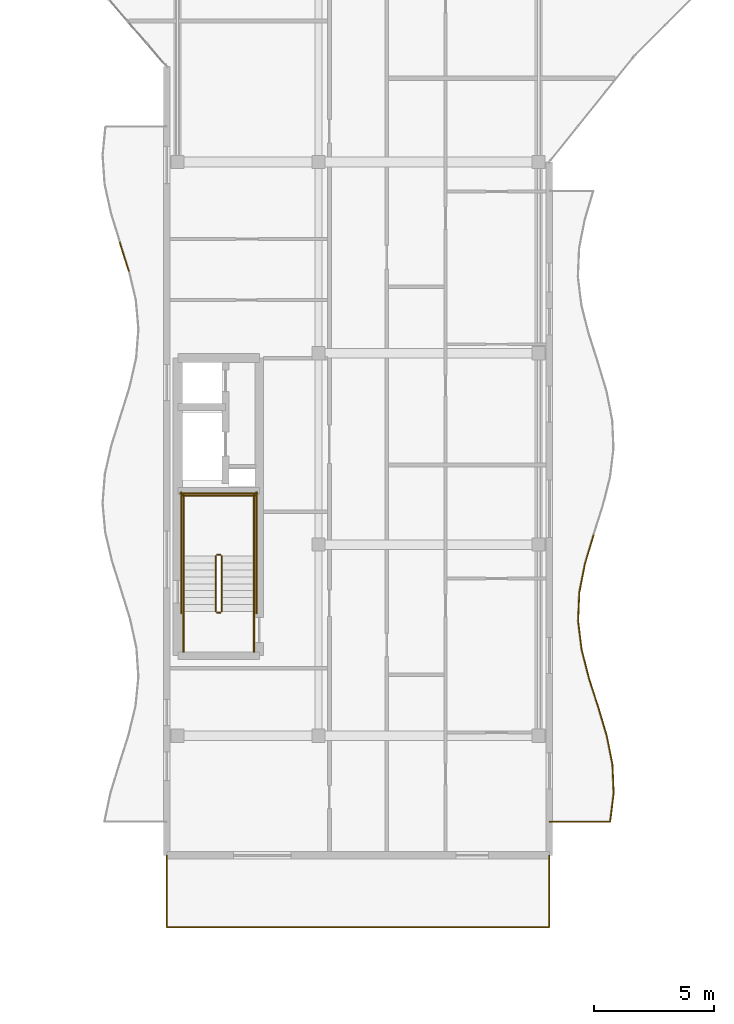
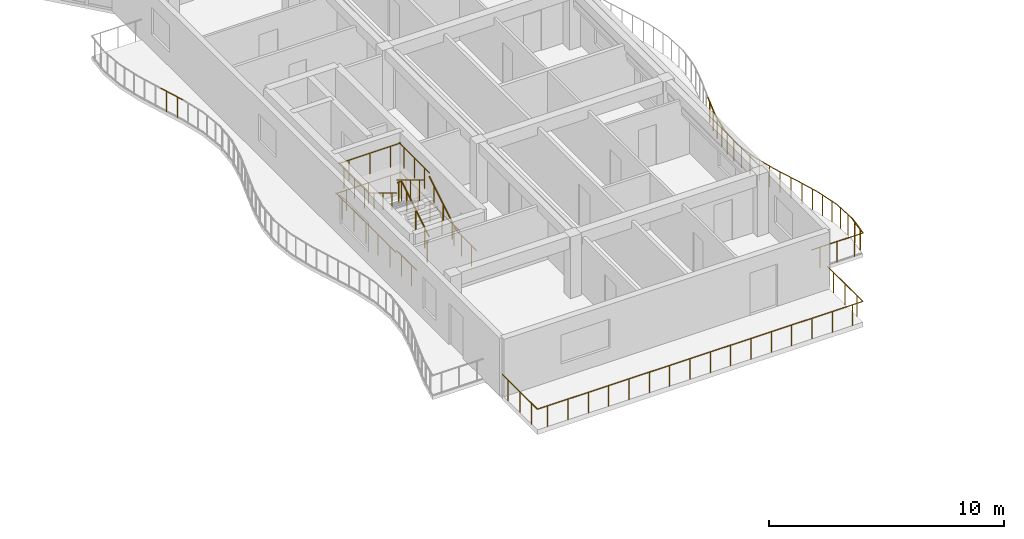
# One storey, part 44 of 54: 29 railings.
"""IFC4 building model written with IfcOpenShell, lengths in metres."""

from ifc_helpers import new_model, si_unit, direction, frame, origin, origin_2d, place, context, subcontext, project, spatial, circle, extrude, material, type_object, element, save


model = new_model("IFC4")

# Units and contexts
model_context = context("Model", 3, precision=1e-05, world=origin(), true_north=direction((0.0, 1.0)))
body_context = subcontext(model_context, "Body", "Model", "MODEL_VIEW")
ifc_project = project(units=[si_unit("LENGTHUNIT", "METRE"), si_unit("AREAUNIT", "SQUARE_METRE"), si_unit("VOLUMEUNIT", "CUBIC_METRE"), si_unit("PLANEANGLEUNIT", "RADIAN"), si_unit("MASSUNIT", "GRAM", prefix="KILO")], contexts=[model_context])

# Site, building, storey
site_placement = place(None, origin())
site = spatial("IfcSite", under=ifc_project, at=site_placement, CompositionType="ELEMENT")
building_placement = place(site_placement, origin())
building = spatial("IfcBuilding", under=site, at=building_placement, Name="Keldmere Railside Commons", CompositionType="ELEMENT")
storey_placement = place(building_placement, frame((0.0, 0.0, 26.56005859375)))
storey = spatial("IfcBuildingStorey", under=building, at=storey_placement, Name="L08", CompositionType="ELEMENT", Elevation=26.56005859375)

# Railings
ifc_material = material(Name="Steel F-24 (S235)", Category="steel")
railing_type_1 = type_object("IfcRailingType", Name="Balcony & Terrace Steel Balustrade 1100", PredefinedType="BALUSTRADE", material=ifc_material)
railing_1_placement = place(storey_placement, frame((120.0, 60.39990234375, 0.0)))
element("IfcRailing", 1, at=railing_1_placement, inside=storey, type_object=railing_type_1, Name="GR-1 GRD-L08-2761", PredefinedType="BALUSTRADE", context=body_context, shape_type="SweptSolid", body=[
    extrude(circle(Radius=0.02392578125, at=origin_2d()), frame((0.0, 0.0, 1.076171875), z_axis=(1.0, 0.0, 0.0), x_axis=(0.0, 1.0, 0.0)), (0.0, 0.0, 1.0), 2.54541015625),
    extrude(circle(Radius=0.02099609375, at=origin_2d()), frame((0.42431640625, 0.0, 0.0)), (0.0, 0.0, 1.0), 1.048095703125),
    extrude(circle(Radius=0.02099609375, at=origin_2d()), frame((1.272705078125, 0.0, 0.0)), (0.0, 0.0, 1.0), 1.048095703125),
    extrude(circle(Radius=0.02099609375, at=origin_2d()), frame((2.12109375, 0.0, 0.0)), (0.0, 0.0, 1.0), 1.048095703125),
])
railing_2_placement = place(storey_placement, frame((122.54541015625, 60.39990234375, 0.0)))
element("IfcRailing", 2, at=railing_2_placement, inside=storey, type_object=railing_type_1, Name="GR-1 GRD-L08-2762", PredefinedType="BALUSTRADE", context=body_context, shape_type="SweptSolid", body=[
    extrude(circle(Radius=0.02392578125, at=origin_2d()), frame((0.0, 0.0, 1.076171875), z_axis=(0.122543756849, 0.992463111484, 0.0), x_axis=(-0.992463111484, 0.122543756849, 0.0)), (0.0, 0.0, 1.0), 1.209228515625),
    extrude(circle(Radius=0.02099609375, at=origin_2d()), frame((0.037109375, 0.300048828125, 0.0)), (0.0, 0.0, 1.0), 1.048095703125),
    extrude(circle(Radius=0.02099609375, at=origin_2d()), frame((0.111083984375, 0.900146484375, 0.0)), (0.0, 0.0, 1.0), 1.048095703125),
])
railing_3_placement = place(storey_placement, frame((122.693603515625, 61.60009765625, 0.0)))
element("IfcRailing", 3, at=railing_3_placement, inside=storey, type_object=railing_type_1, Name="GR-1 GRD-L08-2763", PredefinedType="BALUSTRADE", context=body_context, shape_type="SweptSolid", body=[
    extrude(circle(Radius=0.02392578125, at=origin_2d()), frame((0.0, 0.0, 1.076171875), z_axis=(-0.042281585484, 0.999105733909, 0.0), x_axis=(-0.999105733909, -0.042281585484, 0.0)), (0.0, 0.0, 1.0), 1.200927734375),
    extrude(circle(Radius=0.02099609375, at=origin_2d()), frame((-0.0126953125, 0.300048828125, 0.0)), (0.0, 0.0, 1.0), 1.048095703125),
    extrude(circle(Radius=0.02099609375, at=origin_2d()), frame((-0.0380859375, 0.89990234375, 0.0)), (0.0, 0.0, 1.0), 1.048095703125),
])
railing_4_placement = place(storey_placement, frame((122.642822265625, 62.800048828125, 0.0)))
element("IfcRailing", 4, at=railing_4_placement, inside=storey, type_object=railing_type_1, Name="GR-1 GRD-L08-2764", PredefinedType="BALUSTRADE", context=body_context, shape_type="SweptSolid", body=[
    extrude(circle(Radius=0.02392578125, at=origin_2d()), frame((0.0, 0.0, 1.076171875), z_axis=(-0.193428255419, 0.981114422484, 0.0), x_axis=(-0.981114422484, -0.193428255419, 0.0)), (0.0, 0.0, 1.0), 1.22314453125),
    extrude(circle(Radius=0.02099609375, at=origin_2d()), frame((-0.05908203125, 0.300048828125, 0.0)), (0.0, 0.0, 1.0), 1.048095703125),
    extrude(circle(Radius=0.02099609375, at=origin_2d()), frame((-0.177490234375, 0.89990234375, 0.0)), (0.0, 0.0, 1.0), 1.048095703125),
])
railing_5_placement = place(storey_placement, frame((122.40625, 64.0, 0.0)))
element("IfcRailing", 5, at=railing_5_placement, inside=storey, type_object=railing_type_1, Name="GR-1 GRD-L08-2765", PredefinedType="BALUSTRADE", context=body_context, shape_type="SweptSolid", body=[
    extrude(circle(Radius=0.02392578125, at=origin_2d()), frame((0.0, 0.0, 1.076171875), z_axis=(-0.28636410132, 0.958120869972, 0.0), x_axis=(-0.958120869972, -0.28636410132, 0.0)), (0.0, 0.0, 1.0), 1.25244140625),
    extrude(circle(Radius=0.02099609375, at=origin_2d()), frame((-0.089599609375, 0.300048828125, 0.0)), (0.0, 0.0, 1.0), 1.048095703125),
    extrude(circle(Radius=0.02099609375, at=origin_2d()), frame((-0.26904296875, 0.89990234375, 0.0)), (0.0, 0.0, 1.0), 1.048095703125),
])
railing_6_placement = place(storey_placement, frame((122.047607421875, 65.199951171875, 0.0)))
element("IfcRailing", 6, at=railing_6_placement, inside=storey, type_object=railing_type_1, Name="GR-1 GRD-L08-2766", PredefinedType="BALUSTRADE", context=body_context, shape_type="SweptSolid", body=[
    extrude(circle(Radius=0.02392578125, at=origin_2d()), frame((0.0, 0.0, 1.076171875), z_axis=(-0.30551372524, 0.952187672515, 0.0), x_axis=(-0.952187672515, -0.30551372524, 0.0)), (0.0, 0.0, 1.0), 1.26025390625),
    extrude(circle(Radius=0.02099609375, at=origin_2d()), frame((-0.09619140625, 0.300048828125, 0.0)), (0.0, 0.0, 1.0), 1.048095703125),
    extrude(circle(Radius=0.02099609375, at=origin_2d()), frame((-0.288818359375, 0.89990234375, 0.0)), (0.0, 0.0, 1.0), 1.048095703125),
])
railing_7_placement = place(storey_placement, frame((121.66259765625, 66.39990234375, 0.0)))
element("IfcRailing", 7, at=railing_7_placement, inside=storey, type_object=railing_type_1, Name="GR-1 GRD-L08-2767", PredefinedType="BALUSTRADE", context=body_context, shape_type="SweptSolid", body=[
    extrude(circle(Radius=0.02392578125, at=origin_2d()), frame((0.0, 0.0, 1.076171875), z_axis=(-0.248465420417, 0.968640766671, 0.0), x_axis=(-0.968640766671, -0.248465420417, 0.0)), (0.0, 0.0, 1.0), 1.239013671875),
    extrude(circle(Radius=0.02099609375, at=origin_2d()), frame((-0.076904296875, 0.300048828125, 0.0)), (0.0, 0.0, 1.0), 1.048095703125),
    extrude(circle(Radius=0.02099609375, at=origin_2d()), frame((-0.23095703125, 0.900146484375, 0.0)), (0.0, 0.0, 1.0), 1.048095703125),
])
railing_8_placement = place(storey_placement, frame((121.354736328125, 67.60009765625, 0.0)))
element("IfcRailing", 8, at=railing_8_placement, inside=storey, type_object=railing_type_1, Name="GR-1 GRD-L08-2768", PredefinedType="BALUSTRADE", context=body_context, shape_type="SweptSolid", body=[
    extrude(circle(Radius=0.02392578125, at=origin_2d()), frame((0.0, 0.0, 1.076171875), z_axis=(-0.122767198765, 0.992435496598, 0.0), x_axis=(-0.992435496598, -0.122767198765, 0.0)), (0.0, 0.0, 1.0), 1.208984375),
    extrude(circle(Radius=0.02099609375, at=origin_2d()), frame((-0.037109375, 0.300048828125, 0.0)), (0.0, 0.0, 1.0), 1.048095703125),
    extrude(circle(Radius=0.02099609375, at=origin_2d()), frame((-0.111328125, 0.89990234375, 0.0)), (0.0, 0.0, 1.0), 1.048095703125),
])
railing_9_placement = place(storey_placement, frame((121.206298828125, 68.800048828125, 0.0)))
element("IfcRailing", 9, at=railing_9_placement, inside=storey, type_object=railing_type_1, Name="GR-1 GRD-L08-2769", PredefinedType="BALUSTRADE", context=body_context, shape_type="SweptSolid", body=[
    extrude(circle(Radius=0.02392578125, at=origin_2d()), frame((0.0, 0.0, 1.076171875), z_axis=(0.042281585484, 0.999105733909, 0.0), x_axis=(-0.999105733909, 0.042281585484, 0.0)), (0.0, 0.0, 1.0), 1.200927734375),
    extrude(circle(Radius=0.02099609375, at=origin_2d()), frame((0.0126953125, 0.300048828125, 0.0)), (0.0, 0.0, 1.0), 1.048095703125),
    extrude(circle(Radius=0.02099609375, at=origin_2d()), frame((0.0380859375, 0.89990234375, 0.0)), (0.0, 0.0, 1.0), 1.048095703125),
])
railing_10_placement = place(storey_placement, frame((121.257080078125, 70.0, 0.0)))
element("IfcRailing", 10, at=railing_10_placement, inside=storey, type_object=railing_type_1, Name="GR-1 GRD-L08-2770", PredefinedType="BALUSTRADE", context=body_context, shape_type="SweptSolid", body=[
    extrude(circle(Radius=0.02392578125, at=origin_2d()), frame((0.0, 0.0, 1.076171875), z_axis=(0.193428255419, 0.981114422484, 0.0), x_axis=(-0.981114422484, 0.193428255419, 0.0)), (0.0, 0.0, 1.0), 1.22314453125),
    extrude(circle(Radius=0.02099609375, at=origin_2d()), frame((0.05908203125, 0.300048828125, 0.0)), (0.0, 0.0, 1.0), 1.048095703125),
    extrude(circle(Radius=0.02099609375, at=origin_2d()), frame((0.177490234375, 0.89990234375, 0.0)), (0.0, 0.0, 1.0), 1.048095703125),
])
railing_11_placement = place(storey_placement, frame((121.49365234375, 71.199951171875, 0.0)))
element("IfcRailing", 11, at=railing_11_placement, inside=storey, type_object=railing_type_1, Name="GR-1 GRD-L08-2771", PredefinedType="BALUSTRADE", context=body_context, shape_type="SweptSolid", body=[
    extrude(circle(Radius=0.02392578125, at=origin_2d()), frame((0.0, 0.0, 1.076171875), z_axis=(0.286543038672, 0.958067370798, 0.0), x_axis=(-0.958067370798, 0.286543038672, 0.0)), (0.0, 0.0, 1.0), 1.25244140625),
    extrude(circle(Radius=0.02099609375, at=origin_2d()), frame((0.08984375, 0.300048828125, 0.0)), (0.0, 0.0, 1.0), 1.048095703125),
    extrude(circle(Radius=0.02099609375, at=origin_2d()), frame((0.26904296875, 0.89990234375, 0.0)), (0.0, 0.0, 1.0), 1.048095703125),
])
railing_12_placement = place(storey_placement, frame((102.407958984375, 83.4375, 0.0)))
element("IfcRailing", 12, at=railing_12_placement, inside=storey, type_object=railing_type_1, Name="GR-1 GRD-L08-2805", PredefinedType="BALUSTRADE", context=body_context, shape_type="SweptSolid", body=[
    extrude(circle(Radius=0.02392578125, at=origin_2d()), frame((0.0, 0.0, 1.076171875), z_axis=(-0.300221148652, 0.953869625212, 0.0), x_axis=(-0.953869625212, -0.300221148652, 0.0)), (0.0, 0.0, 1.0), 1.27099609375),
    extrude(circle(Radius=0.02099609375, at=origin_2d()), frame((-0.095458984375, 0.30322265625, 0.0)), (0.0, 0.0, 1.0), 1.048095703125),
    extrude(circle(Radius=0.02099609375, at=origin_2d()), frame((-0.2861328125, 0.9091796875, 0.0)), (0.0, 0.0, 1.0), 1.048095703125),
])
railing_13_placement = place(storey_placement, frame((104.0, 59.0, 0.0)))
element("IfcRailing", 13, at=railing_13_placement, inside=storey, type_object=railing_type_1, Name="GR-1 GRD-L08-2833", PredefinedType="BALUSTRADE", context=body_context, shape_type="SweptSolid", body=[
    extrude(circle(Radius=0.02392578125, at=origin_2d()), frame((0.0, 0.0, 1.076171875), z_axis=(0.0, -1.0, 0.0), x_axis=(1.0, 0.0, 0.0)), (0.0, 0.0, 1.0), 3.0),
    extrude(circle(Radius=0.02099609375, at=origin_2d()), frame((0.0, -0.5, 0.0)), (0.0, 0.0, 1.0), 1.048095703125),
    extrude(circle(Radius=0.02099609375, at=origin_2d()), frame((0.0, -1.5, 0.0)), (0.0, 0.0, 1.0), 1.048095703125),
    extrude(circle(Radius=0.02099609375, at=origin_2d()), frame((0.0, -2.5, 0.0)), (0.0, 0.0, 1.0), 1.048095703125),
])
railing_14_placement = place(storey_placement, frame((104.0, 56.0, 0.0)))
element("IfcRailing", 14, at=railing_14_placement, inside=storey, type_object=railing_type_1, Name="GR-1 GRD-L08-2834", PredefinedType="BALUSTRADE", context=body_context, shape_type="SweptSolid", body=[
    extrude(circle(Radius=0.02392578125, at=origin_2d()), frame((0.0, 0.0, 1.076171875), z_axis=(1.0, 0.0, 0.0), x_axis=(0.0, 1.0, 0.0)), (0.0, 0.0, 1.0), 16.0),
    extrude(circle(Radius=0.02099609375, at=origin_2d()), frame((0.5, 0.0, 0.0)), (0.0, 0.0, 1.0), 1.048095703125),
    extrude(circle(Radius=0.02099609375, at=origin_2d()), frame((1.5, 0.0, 0.0)), (0.0, 0.0, 1.0), 1.048095703125),
    extrude(circle(Radius=0.02099609375, at=origin_2d()), frame((2.5, 0.0, 0.0)), (0.0, 0.0, 1.0), 1.048095703125),
    extrude(circle(Radius=0.02099609375, at=origin_2d()), frame((3.5, 0.0, 0.0)), (0.0, 0.0, 1.0), 1.048095703125),
    extrude(circle(Radius=0.02099609375, at=origin_2d()), frame((4.5, 0.0, 0.0)), (0.0, 0.0, 1.0), 1.048095703125),
    extrude(circle(Radius=0.02099609375, at=origin_2d()), frame((5.5, 0.0, 0.0)), (0.0, 0.0, 1.0), 1.048095703125),
    extrude(circle(Radius=0.02099609375, at=origin_2d()), frame((6.5, 0.0, 0.0)), (0.0, 0.0, 1.0), 1.048095703125),
    extrude(circle(Radius=0.02099609375, at=origin_2d()), frame((7.5, 0.0, 0.0)), (0.0, 0.0, 1.0), 1.048095703125),
    extrude(circle(Radius=0.02099609375, at=origin_2d()), frame((8.5, 0.0, 0.0)), (0.0, 0.0, 1.0), 1.048095703125),
    extrude(circle(Radius=0.02099609375, at=origin_2d()), frame((9.5, 0.0, 0.0)), (0.0, 0.0, 1.0), 1.048095703125),
    extrude(circle(Radius=0.02099609375, at=origin_2d()), frame((10.5, 0.0, 0.0)), (0.0, 0.0, 1.0), 1.048095703125),
    extrude(circle(Radius=0.02099609375, at=origin_2d()), frame((11.5, 0.0, 0.0)), (0.0, 0.0, 1.0), 1.048095703125),
    extrude(circle(Radius=0.02099609375, at=origin_2d()), frame((12.5, 0.0, 0.0)), (0.0, 0.0, 1.0), 1.048095703125),
    extrude(circle(Radius=0.02099609375, at=origin_2d()), frame((13.5, 0.0, 0.0)), (0.0, 0.0, 1.0), 1.048095703125),
    extrude(circle(Radius=0.02099609375, at=origin_2d()), frame((14.5, 0.0, 0.0)), (0.0, 0.0, 1.0), 1.048095703125),
    extrude(circle(Radius=0.02099609375, at=origin_2d()), frame((15.5, 0.0, 0.0)), (0.0, 0.0, 1.0), 1.048095703125),
])
railing_15_placement = place(storey_placement, frame((120.0, 56.0, 0.0)))
element("IfcRailing", 15, at=railing_15_placement, inside=storey, type_object=railing_type_1, Name="GR-1 GRD-L08-2835", PredefinedType="BALUSTRADE", context=body_context, shape_type="SweptSolid", body=[
    extrude(circle(Radius=0.02392578125, at=origin_2d()), frame((0.0, 0.0, 1.076171875), z_axis=(0.0, 1.0, 0.0), x_axis=(-1.0, 0.0, 0.0)), (0.0, 0.0, 1.0), 3.0),
    extrude(circle(Radius=0.02099609375, at=origin_2d()), frame((0.0, 0.5, 0.0)), (0.0, 0.0, 1.0), 1.048095703125),
    extrude(circle(Radius=0.02099609375, at=origin_2d()), frame((0.0, 1.5, 0.0)), (0.0, 0.0, 1.0), 1.048095703125),
    extrude(circle(Radius=0.02099609375, at=origin_2d()), frame((0.0, 2.5, 0.0)), (0.0, 0.0, 1.0), 1.048095703125),
])
railing_type_2 = type_object("IfcRailingType", Name="Stair Well Steel Guardrail 1100", PredefinedType="BALUSTRADE", material=ifc_material)
railing_16_placement = place(storey_placement, frame((106.300048828125, 69.199951171875, 0.177734375)))
element("IfcRailing", 16, at=railing_16_placement, inside=storey, type_object=railing_type_2, Name="L08 ST-B1 stair guard 1", PredefinedType="BALUSTRADE", context=body_context, shape_type="SweptSolid", body=[
    extrude(circle(Radius=0.02392578125, at=origin_2d()), frame((0.0, 0.0, 1.076171875), z_axis=(0.0, 0.852578041948, 0.522599925744), x_axis=(-1.0, 0.0, 0.0)), (0.0, 0.0, 1.0), 2.72119140625),
    extrude(circle(Radius=0.02099609375, at=origin_2d()), frame((0.0, 0.38671875, 0.237060546875)), (0.0, 0.0, 1.0), 1.048095703125),
    extrude(circle(Radius=0.02099609375, at=origin_2d()), frame((0.0, 1.16015625, 0.7109375)), (0.0, 0.0, 1.0), 1.048095703125),
    extrude(circle(Radius=0.02099609375, at=origin_2d()), frame((0.0, 1.933349609375, 1.18505859375)), (0.0, 0.0, 1.0), 1.048095703125),
])
railing_17_placement = place(storey_placement, frame((106.25, 71.570068359375, 1.599853515625)))
element("IfcRailing", 17, at=railing_17_placement, inside=storey, type_object=railing_type_2, Name="L08 ST-B1 stair guard 2", PredefinedType="BALUSTRADE", context=body_context, shape_type="SweptSolid", body=[
    extrude(circle(Radius=0.02392578125, at=origin_2d()), frame((0.0, 0.0, 1.076171875), z_axis=(-1.0, 0.0, 0.0), x_axis=(0.0, -1.0, 0.0)), (0.0, 0.0, 1.0), 0.14990234375),
    extrude(circle(Radius=0.02099609375, at=origin_2d()), frame((-0.074951171875, 0.0, 0.0)), (0.0, 0.0, 1.0), 1.048095703125),
])
for number, where, name in (
    (18, (107.64990234375, 71.52001953125, 1.599853515625), "L08 ST-B1 stair guard 3"),
    (19, (104.699951171875, 71.52001953125, 1.599853515625), "L08 ST-B1 stair guard 4"),
):
    element("IfcRailing", number, at=place(storey_placement, frame(where)), inside=storey, type_object=railing_type_2, Name=name, PredefinedType="BALUSTRADE", context=body_context, shape_type="SweptSolid", body=[
        extrude(circle(Radius=0.02392578125, at=origin_2d()), frame((0.0, 0.0, 1.076171875), z_axis=(0.0, 1.0, 0.0), x_axis=(-1.0, 0.0, 0.0)), (0.0, 0.0, 1.0), 2.580078125),
        extrude(circle(Radius=0.02099609375, at=origin_2d()), frame((0.0, 0.429931640625, 0.0)), (0.0, 0.0, 1.0), 1.048095703125),
        extrude(circle(Radius=0.02099609375, at=origin_2d()), frame((0.0, 1.2900390625, 0.0)), (0.0, 0.0, 1.0), 1.048095703125),
        extrude(circle(Radius=0.02099609375, at=origin_2d()), frame((0.0, 2.150146484375, 0.0)), (0.0, 0.0, 1.0), 1.048095703125),
    ])
railing_18_placement = place(storey_placement, frame((107.699951171875, 74.050048828125, 1.599853515625)))
element("IfcRailing", 20, at=railing_18_placement, inside=storey, type_object=railing_type_2, Name="L08 ST-B1 stair guard 5", PredefinedType="BALUSTRADE", context=body_context, shape_type="SweptSolid", body=[
    extrude(circle(Radius=0.02392578125, at=origin_2d()), frame((0.0, 0.0, 1.076171875), z_axis=(-1.0, 0.0, 0.0), x_axis=(0.0, -1.0, 0.0)), (0.0, 0.0, 1.0), 3.050048828125),
    extrude(circle(Radius=0.02099609375, at=origin_2d()), frame((-0.50830078125, 0.0, 0.0)), (0.0, 0.0, 1.0), 1.048095703125),
    extrude(circle(Radius=0.02099609375, at=origin_2d()), frame((-1.52490234375, 0.0, 0.0)), (0.0, 0.0, 1.0), 1.048095703125),
    extrude(circle(Radius=0.02099609375, at=origin_2d()), frame((-2.541748046875, 0.0, 0.0)), (0.0, 0.0, 1.0), 1.048095703125),
])
railing_19_placement = place(storey_placement, frame((106.050048828125, 71.52001953125, 1.77783203125)))
element("IfcRailing", 21, at=railing_19_placement, inside=storey, type_object=railing_type_2, Name="L08 ST-B1 stair guard 6", PredefinedType="BALUSTRADE", context=body_context, shape_type="SweptSolid", body=[
    extrude(circle(Radius=0.02392578125, at=origin_2d()), frame((0.0, 0.0, 1.076171875), z_axis=(0.0, -0.852578041948, 0.522599925744), x_axis=(1.0, 0.0, 0.0)), (0.0, 0.0, 1.0), 2.72119140625),
    extrude(circle(Radius=0.02099609375, at=origin_2d()), frame((0.0, -0.38671875, 0.237060546875)), (0.0, 0.0, 1.0), 1.048095703125),
    extrude(circle(Radius=0.02099609375, at=origin_2d()), frame((0.0, -1.16015625, 0.7109375)), (0.0, 0.0, 1.0), 1.048095703125),
    extrude(circle(Radius=0.02099609375, at=origin_2d()), frame((0.0, -1.933349609375, 1.18505859375)), (0.0, 0.0, 1.0), 1.048095703125),
])
railing_20_placement = place(storey_placement, frame((106.25, 69.14990234375, 0.0)))
element("IfcRailing", 22, at=railing_20_placement, inside=storey, type_object=railing_type_2, Name="L08 ST-B1 stair guard 7", PredefinedType="BALUSTRADE", context=body_context, shape_type="SweptSolid", body=[
    extrude(circle(Radius=0.02392578125, at=origin_2d()), frame((0.0, 0.0, 1.076171875), z_axis=(-1.0, 0.0, 0.0), x_axis=(0.0, -1.0, 0.0)), (0.0, 0.0, 1.0), 0.14990234375),
    extrude(circle(Radius=0.02099609375, at=origin_2d()), frame((-0.074951171875, 0.0, 0.0)), (0.0, 0.0, 1.0), 1.048095703125),
])
for number, where, name in (
    (23, (107.64990234375, 67.5, 0.0), "L08 ST-B1 stair guard 8"),
    (24, (104.699951171875, 67.5, 0.0), "L08 ST-B1 stair guard 9"),
):
    element("IfcRailing", number, at=place(storey_placement, frame(where)), inside=storey, type_object=railing_type_2, Name=name, PredefinedType="BALUSTRADE", context=body_context, shape_type="SweptSolid", body=[
        extrude(circle(Radius=0.02392578125, at=origin_2d()), frame((0.0, 0.0, 1.076171875), z_axis=(0.0, 1.0, 0.0), x_axis=(-1.0, 0.0, 0.0)), (0.0, 0.0, 1.0), 1.699951171875),
        extrude(circle(Radius=0.02099609375, at=origin_2d()), frame((0.0, 0.425048828125, 0.0)), (0.0, 0.0, 1.0), 1.048095703125),
        extrude(circle(Radius=0.02099609375, at=origin_2d()), frame((0.0, 1.27490234375, 0.0)), (0.0, 0.0, 1.0), 1.048095703125),
    ])
for number, where, name in (
    (25, (107.75, 69.10009765625, 0.0), "L08 ST-B1 stair guard 10"),
    (26, (104.60009765625, 69.10009765625, 0.0), "L08 ST-B1 stair guard 11"),
):
    element("IfcRailing", number, at=place(storey_placement, frame(where)), inside=storey, type_object=railing_type_2, Name=name, PredefinedType="BALUSTRADE", context=body_context, shape_type="SweptSolid", body=[
        extrude(circle(Radius=0.02392578125, at=origin_2d()), frame((0.0, 0.0, 1.076171875), z_axis=(0.0, 1.0, 0.0), x_axis=(-1.0, 0.0, 0.0)), (0.0, 0.0, 1.0), 5.099853515625),
        extrude(circle(Radius=0.02099609375, at=origin_2d()), frame((0.0, 0.510009765625, 0.0)), (0.0, 0.0, 1.0), 1.048095703125),
        extrude(circle(Radius=0.02099609375, at=origin_2d()), frame((0.0, 1.530029296875, 0.0)), (0.0, 0.0, 1.0), 1.048095703125),
        extrude(circle(Radius=0.02099609375, at=origin_2d()), frame((0.0, 2.5498046875, 0.0)), (0.0, 0.0, 1.0), 1.048095703125),
        extrude(circle(Radius=0.02099609375, at=origin_2d()), frame((0.0, 3.56982421875, 0.0)), (0.0, 0.0, 1.0), 1.048095703125),
        extrude(circle(Radius=0.02099609375, at=origin_2d()), frame((0.0, 4.58984375, 0.0)), (0.0, 0.0, 1.0), 1.048095703125),
    ])
railing_21_placement = place(storey_placement, frame((107.800048828125, 74.14990234375, 0.0)))
element("IfcRailing", 27, at=railing_21_placement, inside=storey, type_object=railing_type_2, Name="L08 ST-B1 stair guard 12", PredefinedType="BALUSTRADE", context=body_context, shape_type="SweptSolid", body=[
    extrude(circle(Radius=0.02392578125, at=origin_2d()), frame((0.0, 0.0, 1.076171875), z_axis=(-1.0, 0.0, 0.0), x_axis=(0.0, -1.0, 0.0)), (0.0, 0.0, 1.0), 3.25),
    extrude(circle(Radius=0.02099609375, at=origin_2d()), frame((-0.541748046875, 0.0, 0.0)), (0.0, 0.0, 1.0), 1.048095703125),
    extrude(circle(Radius=0.02099609375, at=origin_2d()), frame((-1.625, 0.0, 0.0)), (0.0, 0.0, 1.0), 1.048095703125),
    extrude(circle(Radius=0.02099609375, at=origin_2d()), frame((-2.708251953125, 0.0, 0.0)), (0.0, 0.0, 1.0), 1.048095703125),
])
railing_type_3 = type_object("IfcRailingType", Name="Wall-Mounted Tubular Steel Handrail 900", PredefinedType="HANDRAIL", material=ifc_material)
railing_22_placement = place(storey_placement, frame((107.64990234375, 69.199951171875, 0.177734375)))
element("IfcRailing", 28, at=railing_22_placement, inside=storey, type_object=railing_type_3, Name="L08 ST-B1 stair handrail 1", PredefinedType="HANDRAIL", context=body_context, shape_type="SweptSolid", body=[
    extrude(circle(Radius=0.02392578125, at=origin_2d()), frame((0.0, 0.0, 0.8759765625), z_axis=(0.0, 0.852578041948, 0.522599925744), x_axis=(-1.0, 0.0, 0.0)), (0.0, 0.0, 1.0), 2.72119140625),
    extrude(circle(Radius=0.02099609375, at=origin_2d()), frame((0.0, 0.38671875, 0.237060546875)), (0.0, 0.0, 1.0), 0.847900390625),
    extrude(circle(Radius=0.02099609375, at=origin_2d()), frame((0.0, 1.16015625, 0.7109375)), (0.0, 0.0, 1.0), 0.847900390625),
    extrude(circle(Radius=0.02099609375, at=origin_2d()), frame((0.0, 1.933349609375, 1.18505859375)), (0.0, 0.0, 1.0), 0.847900390625),
])
railing_23_placement = place(storey_placement, frame((104.699951171875, 71.52001953125, 1.77783203125)))
element("IfcRailing", 29, at=railing_23_placement, inside=storey, type_object=railing_type_3, Name="L08 ST-B1 stair handrail 2", PredefinedType="HANDRAIL", context=body_context, shape_type="SweptSolid", body=[
    extrude(circle(Radius=0.02392578125, at=origin_2d()), frame((0.0, 0.0, 0.8759765625), z_axis=(0.0, -0.852578041948, 0.522599925744), x_axis=(1.0, 0.0, 0.0)), (0.0, 0.0, 1.0), 2.72119140625),
    extrude(circle(Radius=0.02099609375, at=origin_2d()), frame((0.0, -0.38671875, 0.237060546875)), (0.0, 0.0, 1.0), 0.847900390625),
    extrude(circle(Radius=0.02099609375, at=origin_2d()), frame((0.0, -1.16015625, 0.7109375)), (0.0, 0.0, 1.0), 0.847900390625),
    extrude(circle(Radius=0.02099609375, at=origin_2d()), frame((0.0, -1.933349609375, 1.18505859375)), (0.0, 0.0, 1.0), 0.847900390625),
])

save(model, "model.ifc")
